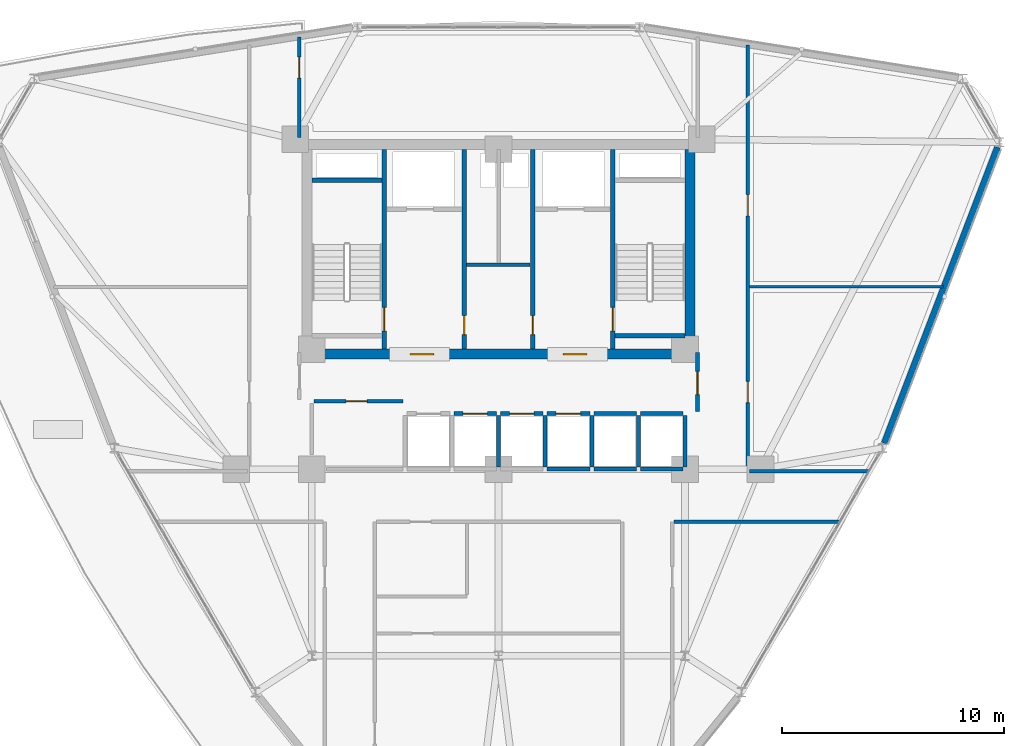
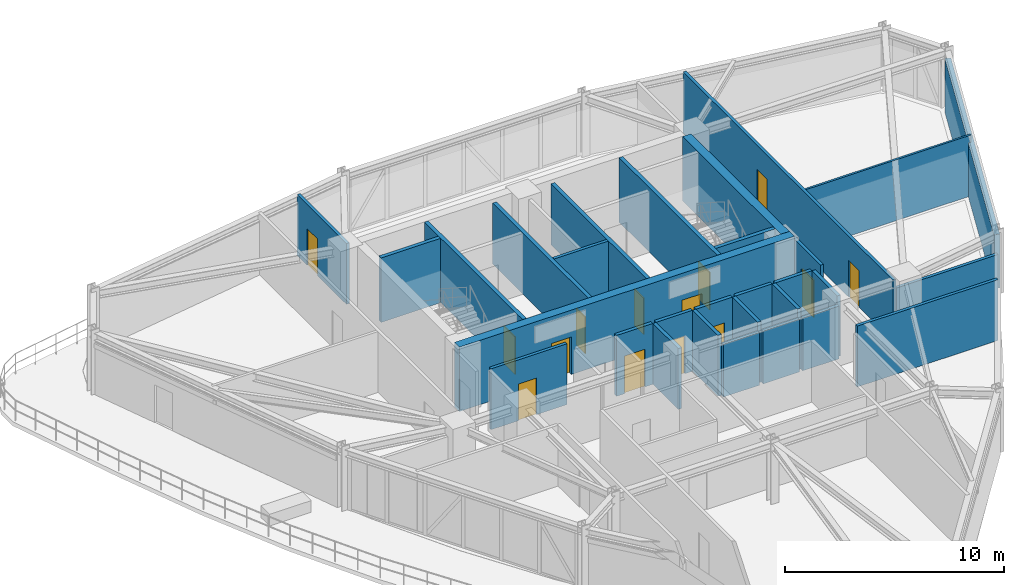
# One storey, part 14 of 18: 30 walls, 14 doors, 14 openings.
"""IFC4 building model written with IfcOpenShell, lengths in metres."""

from ifc_helpers import new_model, si_unit, derived_unit, direction, frame, frame_2d, origin, place, context, subcontext, project, spatial, rectangle, extrude, material, layer, layer_set, type_object, element, fill, save


model = new_model("IFC4")

# Units and contexts
model_context = context("Model", 3, precision=1e-05, world=origin(), true_north=direction((0.0, 1.0)))
body_context = subcontext(model_context, "Body", "Model", "MODEL_VIEW")
ifc_project = project(units=[si_unit("LENGTHUNIT", "METRE"), si_unit("AREAUNIT", "SQUARE_METRE"), si_unit("VOLUMEUNIT", "CUBIC_METRE"), si_unit("PLANEANGLEUNIT", "RADIAN"), si_unit("MASSUNIT", "GRAM", prefix="KILO"), derived_unit("THERMALTRANSMITTANCEUNIT", [(si_unit("POWERUNIT", "WATT"), 1), (si_unit("LENGTHUNIT", "METRE"), -2), (si_unit("THERMODYNAMICTEMPERATUREUNIT", "KELVIN"), -1)])], contexts=[model_context])

# Site, building, storey
site_placement = place(None, origin())
site = spatial("IfcSite", under=ifc_project, at=site_placement, CompositionType="ELEMENT")
building_placement = place(site_placement, origin())
building = spatial("IfcBuilding", under=site, at=building_placement, Name="Korsvarv Bourse and Concert Hall", CompositionType="ELEMENT")
storey_placement = place(building_placement, frame((0.0, 0.0, 168.60009765625)))
storey = spatial("IfcBuildingStorey", under=building, at=storey_placement, Name="L43", CompositionType="ELEMENT", Elevation=168.60009765625)

# Wall, opening, door
ifc_material_1 = material(Name="Concrete C50/60", Category="concrete")
ifc_layer_1 = layer(ifc_material_1, 0.3798828125)
ifc_layer_set_1 = layer_set([ifc_layer_1], Name="Concrete C50/60")
wall_type_1 = type_object("IfcWallType", Name="WL-CORE-380", PredefinedType="SHEAR", material=ifc_layer_set_1)
wall_1_placement = place(storey_placement, frame((30.860107421875, 37.81005859375, 0.0), z_axis=(0.0, 0.0, 1.0), x_axis=(0.0, 1.0, 0.0)))
wall_1 = element("IfcWall", 1, at=wall_1_placement, inside=storey, type_object=wall_type_1, Name="L43 stair shaft structural wall W-L43-ST1-E", PredefinedType="SHEAR", context=body_context, shape_type="SweptSolid", body=[
    extrude(rectangle(XDim=8.97998046875, YDim=0.199951171875, at=frame_2d((4.489990234375, 0.0))), origin(), (0.0, 0.0, 1.0), 3.599853515625),
])
opening_1_placement = place(wall_1_placement, frame((0.820068359375, 0.0, 0.0)))
opening_1 = element("IfcOpeningElement", 2, at=opening_1_placement, cuts=wall_1, Name="Opening D-01", PredefinedType="OPENING", context=body_context, shape_type="SweptSolid", body=[
    extrude(rectangle(XDim=1.050048828125, YDim=2.10009765625, at=frame_2d((0.52490234375, 1.050048828125))), frame((0.0, 0.10986328125, 0.0), z_axis=(0.0, -1.0, 0.0), x_axis=(1.0, 0.0, 0.0)), (0.0, 0.0, 1.0), 0.219970703125),
])
ifc_material_2 = material(Name="Steel S355 fire door", Category="steel")
door_type_1 = type_object("IfcDoorType", Name="DR-FD60", OperationType="NOTDEFINED", PredefinedType="DOOR", material=ifc_material_2)
door_1_placement = place(opening_1_placement, origin())
door_1 = element("IfcDoor", 3, at=door_1_placement, inside=storey, type_object=door_type_1, Name="L43 interior door DR-L43-ST1", OperationType="SINGLE_SWING_RIGHT", OverallHeight=2.10009765625, OverallWidth=1.050048828125, PredefinedType="DOOR", context=body_context, shape_type="SweptSolid", body=[
    extrude(rectangle(XDim=1.050048828125, YDim=2.10009765625, at=frame_2d((0.52490234375, 1.050048828125))), frame((0.0, 0.02490234375, 0.0), z_axis=(0.0, -1.0, 0.0), x_axis=(1.0, 0.0, 0.0)), (0.0, 0.0, 1.0), 0.050048828125),
])
fill(opening_1, door_1)

# Wall
wall_2_placement = place(storey_placement, frame((27.610107421875, 45.39990234375, 0.0), z_axis=(0.0, 0.0, 1.0), x_axis=(1.0, 0.0, 0.0)))
element("IfcWall", 4, at=wall_2_placement, inside=storey, type_object=wall_type_1, Name="L43 stair shaft structural wall W-L43-ST1-N", PredefinedType="SHEAR", context=body_context, shape_type="SweptSolid", body=[
    extrude(rectangle(XDim=3.139892578125, YDim=0.199951171875, at=frame_2d((1.56982421875, 0.0))), origin(), (0.0, 0.0, 1.0), 3.599853515625),
])

# Wall, opening, door
wall_3_placement = place(storey_placement, frame((41.139892578125, 37.81005859375, 0.0), z_axis=(0.0, 0.0, 1.0), x_axis=(0.0, 1.0, 0.0)))
wall_3 = element("IfcWall", 5, at=wall_3_placement, inside=storey, type_object=wall_type_1, Name="L43 stair shaft structural wall W-L43-ST2-W", PredefinedType="SHEAR", context=body_context, shape_type="SweptSolid", body=[
    extrude(rectangle(XDim=8.97998046875, YDim=0.199951171875, at=frame_2d((4.489990234375, 0.0))), origin(), (0.0, 0.0, 1.0), 3.599853515625),
])
opening_2_placement = place(wall_3_placement, frame((0.820068359375, 0.0, 0.0)))
opening_2 = element("IfcOpeningElement", 6, at=opening_2_placement, cuts=wall_3, Name="Opening D-01", PredefinedType="OPENING", context=body_context, shape_type="SweptSolid", body=[
    extrude(rectangle(XDim=1.050048828125, YDim=2.10009765625, at=frame_2d((0.52490234375, 1.050048828125))), frame((0.0, 0.10986328125, 0.0), z_axis=(0.0, -1.0, 0.0), x_axis=(1.0, 0.0, 0.0)), (0.0, 0.0, 1.0), 0.219970703125),
])
door_2_placement = place(opening_2_placement, frame((1.050048828125, 0.0, 0.0), z_axis=(0.0, 0.0, 1.0), x_axis=(-1.0, 0.0, 0.0)))
door_2 = element("IfcDoor", 7, at=door_2_placement, inside=storey, type_object=door_type_1, Name="L43 interior door DR-L43-ST2", OperationType="SINGLE_SWING_LEFT", OverallHeight=2.10009765625, OverallWidth=1.050048828125, PredefinedType="DOOR", context=body_context, shape_type="SweptSolid", body=[
    extrude(rectangle(XDim=1.050048828125, YDim=2.10009765625, at=frame_2d((0.52490234375, 1.050048828125))), frame((0.0, 0.02490234375, 0.0), z_axis=(0.0, -1.0, 0.0), x_axis=(1.0, 0.0, 0.0)), (0.0, 0.0, 1.0), 0.050048828125),
])
fill(opening_2, door_2)

# Wall
wall_4_placement = place(storey_placement, frame((41.25, 38.39990234375, 0.0), z_axis=(0.0, 0.0, 1.0), x_axis=(1.0, 0.0, 0.0)))
element("IfcWall", 8, at=wall_4_placement, inside=storey, type_object=wall_type_1, Name="L43 stair shaft structural wall W-L43-ST2-S", PredefinedType="SHEAR", context=body_context, shape_type="SweptSolid", body=[
    extrude(rectangle(XDim=3.139892578125, YDim=0.199951171875, at=frame_2d((1.56982421875, 0.0))), origin(), (0.0, 0.0, 1.0), 3.599853515625),
])

# Wall, openings, doors
ifc_material_3 = material(Name="Concrete C55/67", Category="concrete")
ifc_layer_2 = layer(ifc_material_3, 0.449951171875)
ifc_layer_set_2 = layer_set([ifc_layer_2], Name="Concrete C55/67")
wall_type_2 = type_object("IfcWallType", Name="WL-CORE-450", PredefinedType="SHEAR", material=ifc_layer_set_2)
wall_5_placement = place(storey_placement, frame((27.14990234375, 37.574951171875, 0.0), z_axis=(0.0, 0.0, 1.0), x_axis=(1.0, 0.0, 0.0)))
wall_5 = element("IfcWall", 9, at=wall_5_placement, inside=storey, type_object=wall_type_2, Name="L43 South Core Shear Wall", PredefinedType="SHEAR", context=body_context, shape_type="SweptSolid", body=[
    extrude(rectangle(XDim=17.7001953125, YDim=0.449951171875, at=frame_2d((8.85009765625, 0.0))), origin(), (0.0, 0.0, 1.0), 3.599853515625),
])
opening_3_placement = place(wall_5_placement, frame((4.875, 0.0, 0.0)))
opening_3 = element("IfcOpeningElement", 10, at=opening_3_placement, cuts=wall_5, Name="Opening D-01", PredefinedType="OPENING", context=body_context, shape_type="SweptSolid", body=[
    extrude(rectangle(XDim=1.050048828125, YDim=2.10009765625, at=frame_2d((0.52490234375, 1.050048828125))), frame((0.0, 0.23486328125, 0.0), z_axis=(0.0, -1.0, 0.0), x_axis=(1.0, 0.0, 0.0)), (0.0, 0.0, 1.0), 0.469970703125),
])
opening_4_placement = place(wall_5_placement, frame((11.77490234375, 0.0, 0.0)))
opening_4 = element("IfcOpeningElement", 11, at=opening_4_placement, cuts=wall_5, Name="Opening D-01", PredefinedType="OPENING", context=body_context, shape_type="SweptSolid", body=[
    extrude(rectangle(XDim=1.050048828125, YDim=2.10009765625, at=frame_2d((0.52490234375, 1.050048828125))), frame((0.0, 0.23486328125, 0.0), z_axis=(0.0, -1.0, 0.0), x_axis=(1.0, 0.0, 0.0)), (0.0, 0.0, 1.0), 0.469970703125),
])
door_3_placement = place(opening_3_placement, frame((1.050048828125, 0.0, 0.0), z_axis=(0.0, 0.0, 1.0), x_axis=(-1.0, 0.0, 0.0)))
door_3 = element("IfcDoor", 12, at=door_3_placement, inside=storey, type_object=door_type_1, Name="L43 firefighting lobby fire door DR-L43-FFLW", OperationType="SINGLE_SWING_LEFT", OverallHeight=2.10009765625, OverallWidth=1.050048828125, PredefinedType="DOOR", context=body_context, shape_type="SweptSolid", body=[
    extrude(rectangle(XDim=1.050048828125, YDim=2.10009765625, at=frame_2d((0.52490234375, 1.050048828125))), frame((0.0, 0.02490234375, 0.0), z_axis=(0.0, -1.0, 0.0), x_axis=(1.0, 0.0, 0.0)), (0.0, 0.0, 1.0), 0.050048828125),
])
fill(opening_3, door_3)
door_4_placement = place(opening_4_placement, frame((1.050048828125, 0.0, 0.0), z_axis=(0.0, 0.0, 1.0), x_axis=(-1.0, 0.0, 0.0)))
door_4 = element("IfcDoor", 13, at=door_4_placement, inside=storey, type_object=door_type_1, Name="L43 firefighting lobby fire door DR-L43-FFLE", OperationType="SINGLE_SWING_RIGHT", OverallHeight=2.10009765625, OverallWidth=1.050048828125, PredefinedType="DOOR", context=body_context, shape_type="SweptSolid", body=[
    extrude(rectangle(XDim=1.050048828125, YDim=2.10009765625, at=frame_2d((0.52490234375, 1.050048828125))), frame((0.0, 0.02490234375, 0.0), z_axis=(0.0, -1.0, 0.0), x_axis=(1.0, 0.0, 0.0)), (0.0, 0.0, 1.0), 0.050048828125),
])
fill(opening_4, door_4)

# Walls
wall_6_placement = place(storey_placement, frame((44.625, 37.800048828125, 0.0), z_axis=(0.0, 0.0, 1.0), x_axis=(0.0, 1.0, 0.0)))
element("IfcWall", 14, at=wall_6_placement, inside=storey, type_object=wall_type_2, Name="L43 East Core Shear Wall", PredefinedType="SHEAR", context=body_context, shape_type="SweptSolid", body=[
    extrude(rectangle(XDim=9.0, YDim=0.449951171875, at=frame_2d((4.5, 0.0))), origin(), (0.0, 0.0, 1.0), 3.599853515625),
])
ifc_material_4 = material(Name="Precast concrete C45/55 with fluted terracotta pier", Category="concrete")
ifc_layer_3 = layer(ifc_material_4, 0.280029296875)
ifc_layer_set_3 = layer_set([ifc_layer_3], Name="Precast concrete C45/55 with fluted terracotta pier")
wall_type_3 = type_object("IfcWallType", Name="WL-EXT-TC2", PredefinedType="SOLIDWALL", material=ifc_layer_set_3)
wall_7_placement = place(storey_placement, frame((53.37060546875, 33.5703125, 0.0), z_axis=(0.0, 0.0, 1.0), x_axis=(0.357419860287, 0.933943811732, 0.0)))
element("IfcWall", 15, at=wall_7_placement, inside=storey, type_object=wall_type_3, Name="L43 terracotta exterior wall EW-L43-B12", PredefinedType="SOLIDWALL", context=body_context, shape_type="SweptSolid", body=[
    extrude(rectangle(XDim=14.263671875, YDim=0.280029296875, at=frame_2d((7.1318359375, 0.0))), origin(), (0.0, 0.0, 1.0), 3.0),
])

# Wall, opening, door
ifc_material_5 = material(Name="Reinforced concrete blockwork C35/45 fire wall", Category="concrete")
ifc_layer_4 = layer(ifc_material_5, 0.199951171875)
ifc_layer_set_4 = layer_set([ifc_layer_4], Name="Reinforced concrete blockwork C35/45 fire wall")
wall_type_4 = type_object("IfcWallType", Name="WL-INT-EI120", PredefinedType="PARTITIONING", material=ifc_layer_set_4)
wall_8_placement = place(storey_placement, frame((34.4599609375, 37.81005859375, 0.0), z_axis=(0.0, 0.0, 1.0), x_axis=(0.0, 1.0, 0.0)))
wall_8 = element("IfcWall", 16, at=wall_8_placement, inside=storey, type_object=wall_type_4, Name="L43 interior partition wall W-L43-CSB-W", PredefinedType="PARTITIONING", context=body_context, shape_type="SweptSolid", body=[
    extrude(rectangle(XDim=8.97998046875, YDim=0.199951171875, at=frame_2d((4.489990234375, 0.0))), origin(), (0.0, 0.0, 1.0), 3.39990234375),
])
opening_5_placement = place(wall_8_placement, frame((0.64990234375, 0.0, 0.0)))
opening_5 = element("IfcOpeningElement", 17, at=opening_5_placement, cuts=wall_8, Name="Opening D-05", PredefinedType="OPENING", context=body_context, shape_type="SweptSolid", body=[
    extrude(rectangle(XDim=0.85009765625, YDim=2.050048828125, at=frame_2d((0.425048828125, 1.02490234375))), frame((0.0, 0.10986328125, 0.0), z_axis=(0.0, -1.0, 0.0), x_axis=(1.0, 0.0, 0.0)), (0.0, 0.0, 1.0), 0.219970703125),
])
door_type_2 = type_object("IfcDoorType", Name="DR-FD60-850X2050", OperationType="NOTDEFINED", PredefinedType="DOOR", material=ifc_material_2)
door_5_placement = place(opening_5_placement, frame((0.85009765625, 0.0, 0.0), z_axis=(0.0, 0.0, 1.0), x_axis=(-1.0, 0.0, 0.0)))
door_5 = element("IfcDoor", 18, at=door_5_placement, inside=storey, type_object=door_type_2, Name="L43 interior door DR-L43-CSB1", OperationType="SINGLE_SWING_RIGHT", OverallHeight=2.050048828125, OverallWidth=0.85009765625, PredefinedType="DOOR", context=body_context, shape_type="SweptSolid", body=[
    extrude(rectangle(XDim=0.85009765625, YDim=2.050048828125, at=frame_2d((0.425048828125, 1.02490234375))), frame((0.0, 0.02490234375, 0.0), z_axis=(0.0, -1.0, 0.0), x_axis=(1.0, 0.0, 0.0)), (0.0, 0.0, 1.0), 0.050048828125),
])
fill(opening_5, door_5)

wall_9_placement = place(storey_placement, frame((37.5400390625, 37.81005859375, 0.0), z_axis=(0.0, 0.0, 1.0), x_axis=(0.0, 1.0, 0.0)))
wall_9 = element("IfcWall", 19, at=wall_9_placement, inside=storey, type_object=wall_type_4, Name="L43 interior partition wall W-L43-CSB-E", PredefinedType="PARTITIONING", context=body_context, shape_type="SweptSolid", body=[
    extrude(rectangle(XDim=8.97998046875, YDim=0.199951171875, at=frame_2d((4.489990234375, 0.0))), origin(), (0.0, 0.0, 1.0), 3.39990234375),
])
opening_6_placement = place(wall_9_placement, frame((0.64990234375, 0.0, 0.0)))
opening_6 = element("IfcOpeningElement", 20, at=opening_6_placement, cuts=wall_9, Name="Opening D-05", PredefinedType="OPENING", context=body_context, shape_type="SweptSolid", body=[
    extrude(rectangle(XDim=0.85009765625, YDim=2.050048828125, at=frame_2d((0.425048828125, 1.02490234375))), frame((0.0, 0.10986328125, 0.0), z_axis=(0.0, -1.0, 0.0), x_axis=(1.0, 0.0, 0.0)), (0.0, 0.0, 1.0), 0.219970703125),
])
door_6_placement = place(opening_6_placement, origin())
door_6 = element("IfcDoor", 21, at=door_6_placement, inside=storey, type_object=door_type_2, Name="L43 interior door DR-L43-CSB2", OperationType="SINGLE_SWING_LEFT", OverallHeight=2.050048828125, OverallWidth=0.85009765625, PredefinedType="DOOR", context=body_context, shape_type="SweptSolid", body=[
    extrude(rectangle(XDim=0.85009765625, YDim=2.050048828125, at=frame_2d((0.425048828125, 1.02490234375))), frame((0.0, 0.02490234375, 0.0), z_axis=(0.0, -1.0, 0.0), x_axis=(1.0, 0.0, 0.0)), (0.0, 0.0, 1.0), 0.050048828125),
])
fill(opening_6, door_6)

# Wall
ifc_material_6 = material(Name="Double-stud fire-rated acoustic partition", Category="gypsum")
ifc_layer_5 = layer(ifc_material_6, 0.159912109375)
ifc_layer_set_5 = layer_set([ifc_layer_5], Name="Double-stud fire-rated acoustic partition")
wall_type_5 = type_object("IfcWallType", Name="WL-INT-EI60", PredefinedType="PARTITIONING", material=ifc_layer_set_5)
wall_10_placement = place(storey_placement, frame((34.570068359375, 41.60009765625, 0.0), z_axis=(0.0, 0.0, 1.0), x_axis=(1.0, 0.0, 0.0)))
element("IfcWall", 22, at=wall_10_placement, inside=storey, type_object=wall_type_5, Name="L43 interior partition wall W-L43-K1", PredefinedType="PARTITIONING", context=body_context, shape_type="SweptSolid", body=[
    extrude(rectangle(XDim=2.85986328125, YDim=0.159912109375, at=frame_2d((1.429931640625, 0.0))), origin(), (0.0, 0.0, 1.0), 3.39990234375),
])

# Wall, opening, door
wall_11_placement = place(storey_placement, frame((27.68994140625, 35.449951171875, 0.0), z_axis=(0.0, 0.0, 1.0), x_axis=(1.0, 0.0, 0.0)))
wall_11 = element("IfcWall", 23, at=wall_11_placement, inside=storey, type_object=wall_type_5, Name="L43 interior partition wall W-L43-FRD-N", PredefinedType="PARTITIONING", context=body_context, shape_type="SweptSolid", body=[
    extrude(rectangle(XDim=4.010009765625, YDim=0.159912109375, at=frame_2d((2.0048828125, 0.0))), origin(), (0.0, 0.0, 1.0), 3.39990234375),
])
opening_7_placement = place(wall_11_placement, frame((1.449951171875, 0.0, 0.0)))
opening_7 = element("IfcOpeningElement", 24, at=opening_7_placement, cuts=wall_11, Name="Opening D-03", PredefinedType="OPENING", context=body_context, shape_type="SweptSolid", body=[
    extrude(rectangle(XDim=0.949951171875, YDim=2.050048828125, at=frame_2d((0.47509765625, 1.02490234375))), frame((0.0, 0.08984375, 0.0), z_axis=(0.0, -1.0, 0.0), x_axis=(1.0, 0.0, 0.0)), (0.0, 0.0, 1.0), 0.179931640625),
])
ifc_material_7 = material(Name="Nordic oak acoustic office door", Category="wood")
door_type_3 = type_object("IfcDoorType", Name="DR-INT-1", OperationType="NOTDEFINED", PredefinedType="DOOR", material=ifc_material_7)
door_7_placement = place(opening_7_placement, origin())
door_7 = element("IfcDoor", 25, at=door_7_placement, inside=storey, type_object=door_type_3, Name="L43 interior door DR-L43-FRDN1", OperationType="SINGLE_SWING_RIGHT", OverallHeight=2.050048828125, OverallWidth=0.949951171875, PredefinedType="DOOR", context=body_context, shape_type="SweptSolid", body=[
    extrude(rectangle(XDim=0.949951171875, YDim=2.050048828125, at=frame_2d((0.47509765625, 1.02490234375))), frame((0.0, 0.02490234375, 0.0), z_axis=(0.0, -1.0, 0.0), x_axis=(1.0, 0.0, 0.0)), (0.0, 0.0, 1.0), 0.050048828125),
])
fill(opening_7, door_7)

wall_12_placement = place(storey_placement, frame((44.9599609375, 35.0, 0.0), z_axis=(0.0, 0.0, 1.0), x_axis=(0.0, 1.0, 0.0)))
wall_12 = element("IfcWall", 26, at=wall_12_placement, inside=storey, type_object=wall_type_5, Name="L43 interior partition wall W-L43-LOB-E", PredefinedType="PARTITIONING", context=body_context, shape_type="SweptSolid", body=[
    extrude(rectangle(XDim=2.64990234375, YDim=0.159912109375, at=frame_2d((1.324951171875, 0.0))), origin(), (0.0, 0.0, 1.0), 3.39990234375),
])
opening_8_placement = place(wall_12_placement, frame((0.75, 0.0, 0.0)))
opening_8 = element("IfcOpeningElement", 27, at=opening_8_placement, cuts=wall_12, Name="Opening D-01", PredefinedType="OPENING", context=body_context, shape_type="SweptSolid", body=[
    extrude(rectangle(XDim=1.050048828125, YDim=2.10009765625, at=frame_2d((0.52490234375, 1.050048828125))), frame((0.0, 0.08984375, 0.0), z_axis=(0.0, -1.0, 0.0), x_axis=(1.0, 0.0, 0.0)), (0.0, 0.0, 1.0), 0.179931640625),
])
door_8_placement = place(opening_8_placement, origin())
door_8 = element("IfcDoor", 28, at=door_8_placement, inside=storey, type_object=door_type_1, Name="L43 interior door DR-L43-LOBE", OperationType="SINGLE_SWING_RIGHT", OverallHeight=2.10009765625, OverallWidth=1.050048828125, PredefinedType="DOOR", context=body_context, shape_type="SweptSolid", body=[
    extrude(rectangle(XDim=1.050048828125, YDim=2.10009765625, at=frame_2d((0.52490234375, 1.050048828125))), frame((0.0, 0.02490234375, 0.0), z_axis=(0.0, -1.0, 0.0), x_axis=(1.0, 0.0, 0.0)), (0.0, 0.0, 1.0), 0.050048828125),
])
fill(opening_8, door_8)

# Wall, openings, doors
wall_13_placement = place(storey_placement, frame((47.22509765625, 32.31005859375, 0.0), z_axis=(0.0, 0.0, 1.0), x_axis=(0.0, 1.0, 0.0)))
wall_13 = element("IfcWall", 29, at=wall_13_placement, inside=storey, type_object=wall_type_5, Name="L43 interior partition wall W-L43-TCOR-01", PredefinedType="PARTITIONING", context=body_context, shape_type="SweptSolid", body=[
    extrude(rectangle(XDim=19.187744140625, YDim=0.159912109375, at=frame_2d((9.59375, 0.0))), origin(), (0.0, 0.0, 1.0), 3.39990234375),
])
opening_9_placement = place(wall_13_placement, frame((3.086669921875, 0.0, 0.0)))
opening_9 = element("IfcOpeningElement", 30, at=opening_9_placement, cuts=wall_13, Name="Opening D-02", PredefinedType="OPENING", context=body_context, shape_type="SweptSolid", body=[
    extrude(rectangle(XDim=0.949951171875, YDim=2.050048828125, at=frame_2d((0.47509765625, 1.02490234375))), frame((0.0, 0.08984375, 0.0), z_axis=(0.0, -1.0, 0.0), x_axis=(1.0, 0.0, 0.0)), (0.0, 0.0, 1.0), 0.179931640625),
])
opening_10_placement = place(wall_13_placement, frame((11.49658203125, 0.0, 0.0)))
opening_10 = element("IfcOpeningElement", 31, at=opening_10_placement, cuts=wall_13, Name="Opening D-02", PredefinedType="OPENING", context=body_context, shape_type="SweptSolid", body=[
    extrude(rectangle(XDim=0.949951171875, YDim=2.050048828125, at=frame_2d((0.47509765625, 1.02490234375))), frame((0.0, 0.08984375, 0.0), z_axis=(0.0, -1.0, 0.0), x_axis=(1.0, 0.0, 0.0)), (0.0, 0.0, 1.0), 0.179931640625),
])
ifc_material_8 = material(Name="Timber and steel acoustic fire door", Category="wood")
door_type_4 = type_object("IfcDoorType", Name="DR-FD30", OperationType="NOTDEFINED", PredefinedType="DOOR", material=ifc_material_8)
door_9_placement = place(opening_9_placement, origin())
door_9 = element("IfcDoor", 32, at=door_9_placement, inside=storey, type_object=door_type_4, Name="L43 interior door DR-L43-TCOR-MH61", OperationType="SINGLE_SWING_LEFT", OverallHeight=2.050048828125, OverallWidth=0.949951171875, PredefinedType="DOOR", context=body_context, shape_type="SweptSolid", body=[
    extrude(rectangle(XDim=0.949951171875, YDim=2.050048828125, at=frame_2d((0.47509765625, 1.02490234375))), frame((0.0, 0.02490234375, 0.0), z_axis=(0.0, -1.0, 0.0), x_axis=(1.0, 0.0, 0.0)), (0.0, 0.0, 1.0), 0.050048828125),
])
fill(opening_9, door_9)
door_10_placement = place(opening_10_placement, origin())
door_10 = element("IfcDoor", 33, at=door_10_placement, inside=storey, type_object=door_type_4, Name="L43 interior door DR-L43-TCOR-RM22", OperationType="SINGLE_SWING_RIGHT", OverallHeight=2.050048828125, OverallWidth=0.949951171875, PredefinedType="DOOR", context=body_context, shape_type="SweptSolid", body=[
    extrude(rectangle(XDim=0.949951171875, YDim=2.050048828125, at=frame_2d((0.47509765625, 1.02490234375))), frame((0.0, 0.02490234375, 0.0), z_axis=(0.0, -1.0, 0.0), x_axis=(1.0, 0.0, 0.0)), (0.0, 0.0, 1.0), 0.050048828125),
])
fill(opening_10, door_10)

# Walls
wall_14_placement = place(storey_placement, frame((43.906982421875, 30.02490234375, 0.0), z_axis=(0.0, 0.0, 1.0), x_axis=(1.0, 0.0, 0.0)))
element("IfcWall", 34, at=wall_14_placement, inside=storey, type_object=wall_type_5, Name="L43 interior partition wall W-L43-TCOR-09", PredefinedType="PARTITIONING", context=body_context, shape_type="SweptSolid", body=[
    extrude(rectangle(XDim=7.440185546875, YDim=0.159912109375, at=frame_2d((3.72021484375, 0.0))), origin(), (0.0, 0.0, 1.0), 3.39990234375),
])
wall_15_placement = place(storey_placement, frame((47.306884765625, 32.31494140625, 0.0), z_axis=(0.0, 0.0, 1.0), x_axis=(1.0, 0.0, 0.0)))
element("IfcWall", 35, at=wall_15_placement, inside=storey, type_object=wall_type_5, Name="L43 interior partition wall W-L43-TCOR-10", PredefinedType="PARTITIONING", context=body_context, shape_type="SweptSolid", body=[
    extrude(rectangle(XDim=5.3623046875, YDim=0.159912109375, at=frame_2d((2.68115234375, 0.0))), origin(), (0.0, 0.0, 1.0), 2.949951171875),
])

# Wall, opening, door
wall_16_placement = place(storey_placement, frame((27.034912109375, 47.340087890625, 0.0), z_axis=(0.0, 0.0, 1.0), x_axis=(0.0, 1.0, 0.0)))
wall_16 = element("IfcWall", 36, at=wall_16_placement, inside=storey, type_object=wall_type_5, Name="L43 interior partition wall W-L43-TCOR-12", PredefinedType="PARTITIONING", context=body_context, shape_type="SweptSolid", body=[
    extrude(rectangle(XDim=4.51806640625, YDim=0.159912109375, at=frame_2d((2.259033203125, 0.0))), origin(), (0.0, 0.0, 1.0), 3.39990234375),
])
opening_11_placement = place(wall_16_placement, frame((2.66259765625, 0.0, 0.0)))
opening_11 = element("IfcOpeningElement", 37, at=opening_11_placement, cuts=wall_16, Name="Opening D-02", PredefinedType="OPENING", context=body_context, shape_type="SweptSolid", body=[
    extrude(rectangle(XDim=0.949951171875, YDim=2.050048828125, at=frame_2d((0.47509765625, 1.02490234375))), frame((0.0, 0.08984375, 0.0), z_axis=(0.0, -1.0, 0.0), x_axis=(1.0, 0.0, 0.0)), (0.0, 0.0, 1.0), 0.179931640625),
])
door_11_placement = place(opening_11_placement, origin())
door_11 = element("IfcDoor", 38, at=door_11_placement, inside=storey, type_object=door_type_4, Name="L43 interior door DR-L43-TCOR-RM44", OperationType="SINGLE_SWING_LEFT", OverallHeight=2.050048828125, OverallWidth=0.949951171875, PredefinedType="DOOR", context=body_context, shape_type="SweptSolid", body=[
    extrude(rectangle(XDim=0.949951171875, YDim=2.050048828125, at=frame_2d((0.47509765625, 1.02490234375))), frame((0.0, 0.02490234375, 0.0), z_axis=(0.0, -1.0, 0.0), x_axis=(1.0, 0.0, 0.0)), (0.0, 0.0, 1.0), 0.050048828125),
])
fill(opening_11, door_11)

ifc_material_9 = material(Name="Gypsum-clad autoclaved concrete shaft wall C30/37", Category="concrete")
ifc_layer_6 = layer(ifc_material_9, 0.179931640625)
ifc_layer_set_6 = layer_set([ifc_layer_6], Name="Gypsum-clad autoclaved concrete shaft wall C30/37")
wall_type_6 = type_object("IfcWallType", Name="WL-INT-EI90", PredefinedType="PARTITIONING", material=ifc_layer_set_6)
wall_17_placement = place(storey_placement, frame((33.989990234375, 34.89990234375, 0.0), z_axis=(0.0, 0.0, 1.0), x_axis=(1.0, 0.0, 0.0)))
wall_17 = element("IfcWall", 39, at=wall_17_placement, inside=storey, type_object=wall_type_6, Name="L43 interior partition wall W-L43-SHFN-PM2", PredefinedType="PARTITIONING", context=body_context, shape_type="SweptSolid", body=[
    extrude(rectangle(XDim=1.919921875, YDim=0.179931640625, at=frame_2d((0.9599609375, 0.0))), origin(), (0.0, 0.0, 1.0), 3.39990234375),
])
opening_12_placement = place(wall_17_placement, frame((0.409912109375, 0.0, 0.0)))
opening_12 = element("IfcOpeningElement", 40, at=opening_12_placement, cuts=wall_17, Name="Opening LD-2", PredefinedType="OPENING", context=body_context, shape_type="SweptSolid", body=[
    extrude(rectangle(XDim=1.10009765625, YDim=2.10009765625, at=frame_2d((0.550048828125, 1.050048828125))), frame((0.0, 0.10009765625, 0.0), z_axis=(0.0, -1.0, 0.0), x_axis=(1.0, 0.0, 0.0)), (0.0, 0.0, 1.0), 0.199951171875),
])
ifc_material_10 = material(Name="Brushed stainless Steel S355 lift landing door", Category="steel")
door_type_5 = type_object("IfcDoorType", Name="DR-LIFT-P", OperationType="DOUBLE_DOOR_SLIDING", PredefinedType="DOOR", material=ifc_material_10)
door_12_placement = place(opening_12_placement, origin())
door_12 = element("IfcDoor", 41, at=door_12_placement, inside=storey, type_object=door_type_5, Name="L43 lift sliding landing door LD-L43-PM2", OperationType="DOUBLE_DOOR_SLIDING", OverallHeight=2.10009765625, OverallWidth=1.10009765625, PredefinedType="DOOR", context=body_context, shape_type="SweptSolid", body=[
    extrude(rectangle(XDim=1.10009765625, YDim=2.10009765625, at=frame_2d((0.550048828125, 1.050048828125))), frame((0.0, 0.02490234375, 0.0), z_axis=(0.0, -1.0, 0.0), x_axis=(1.0, 0.0, 0.0)), (0.0, 0.0, 1.0), 0.050048828125),
])
fill(opening_12, door_12)

wall_18_placement = place(storey_placement, frame((36.090087890625, 34.89990234375, 0.0), z_axis=(0.0, 0.0, 1.0), x_axis=(1.0, 0.0, 0.0)))
wall_18 = element("IfcWall", 42, at=wall_18_placement, inside=storey, type_object=wall_type_6, Name="L43 interior partition wall W-L43-SHFN-PH1", PredefinedType="PARTITIONING", context=body_context, shape_type="SweptSolid", body=[
    extrude(rectangle(XDim=1.919921875, YDim=0.179931640625, at=frame_2d((0.9599609375, 0.0))), origin(), (0.0, 0.0, 1.0), 3.39990234375),
])
opening_13_placement = place(wall_18_placement, frame((0.409912109375, 0.0, 0.0)))
opening_13 = element("IfcOpeningElement", 43, at=opening_13_placement, cuts=wall_18, Name="Opening LD-2", PredefinedType="OPENING", context=body_context, shape_type="SweptSolid", body=[
    extrude(rectangle(XDim=1.10009765625, YDim=2.10009765625, at=frame_2d((0.550048828125, 1.050048828125))), frame((0.0, 0.10009765625, 0.0), z_axis=(0.0, -1.0, 0.0), x_axis=(1.0, 0.0, 0.0)), (0.0, 0.0, 1.0), 0.199951171875),
])
door_13_placement = place(opening_13_placement, origin())
door_13 = element("IfcDoor", 44, at=door_13_placement, inside=storey, type_object=door_type_5, Name="L43 lift sliding landing door LD-L43-PH1", OperationType="DOUBLE_DOOR_SLIDING", OverallHeight=2.10009765625, OverallWidth=1.10009765625, PredefinedType="DOOR", context=body_context, shape_type="SweptSolid", body=[
    extrude(rectangle(XDim=1.10009765625, YDim=2.10009765625, at=frame_2d((0.550048828125, 1.050048828125))), frame((0.0, 0.02490234375, 0.0), z_axis=(0.0, -1.0, 0.0), x_axis=(1.0, 0.0, 0.0)), (0.0, 0.0, 1.0), 0.050048828125),
])
fill(opening_13, door_13)

# Wall
wall_19_placement = place(storey_placement, frame((36.0, 32.489990234375, 0.0), z_axis=(0.0, 0.0, 1.0), x_axis=(0.0, 1.0, 0.0)))
element("IfcWall", 45, at=wall_19_placement, inside=storey, type_object=wall_type_6, Name="L43 interior partition wall W-L43-SHFW-PH1", PredefinedType="PARTITIONING", context=body_context, shape_type="SweptSolid", body=[
    extrude(rectangle(XDim=2.320068359375, YDim=0.179931640625, at=frame_2d((1.16015625, 0.0))), origin(), (0.0, 0.0, 1.0), 3.39990234375),
])

# Wall, opening, door
wall_20_placement = place(storey_placement, frame((38.18994140625, 34.89990234375, 0.0), z_axis=(0.0, 0.0, 1.0), x_axis=(1.0, 0.0, 0.0)))
wall_20 = element("IfcWall", 46, at=wall_20_placement, inside=storey, type_object=wall_type_6, Name="L43 interior partition wall W-L43-SHFN-PH2", PredefinedType="PARTITIONING", context=body_context, shape_type="SweptSolid", body=[
    extrude(rectangle(XDim=1.920166015625, YDim=0.179931640625, at=frame_2d((0.9599609375, 0.0))), origin(), (0.0, 0.0, 1.0), 3.39990234375),
])
opening_14_placement = place(wall_20_placement, frame((0.409912109375, 0.0, 0.0)))
opening_14 = element("IfcOpeningElement", 47, at=opening_14_placement, cuts=wall_20, Name="Opening LD-2", PredefinedType="OPENING", context=body_context, shape_type="SweptSolid", body=[
    extrude(rectangle(XDim=1.10009765625, YDim=2.10009765625, at=frame_2d((0.550048828125, 1.050048828125))), frame((0.0, 0.10009765625, 0.0), z_axis=(0.0, -1.0, 0.0), x_axis=(1.0, 0.0, 0.0)), (0.0, 0.0, 1.0), 0.199951171875),
])
door_14_placement = place(opening_14_placement, origin())
door_14 = element("IfcDoor", 48, at=door_14_placement, inside=storey, type_object=door_type_5, Name="L43 lift sliding landing door LD-L43-PH2", OperationType="DOUBLE_DOOR_SLIDING", OverallHeight=2.10009765625, OverallWidth=1.10009765625, PredefinedType="DOOR", context=body_context, shape_type="SweptSolid", body=[
    extrude(rectangle(XDim=1.10009765625, YDim=2.10009765625, at=frame_2d((0.550048828125, 1.050048828125))), frame((0.0, 0.02490234375, 0.0), z_axis=(0.0, -1.0, 0.0), x_axis=(1.0, 0.0, 0.0)), (0.0, 0.0, 1.0), 0.050048828125),
])
fill(opening_14, door_14)

# Walls
wall_21_placement = place(storey_placement, frame((38.18994140625, 32.39990234375, 0.0), z_axis=(0.0, 0.0, 1.0), x_axis=(1.0, 0.0, 0.0)))
element("IfcWall", 49, at=wall_21_placement, inside=storey, type_object=wall_type_6, Name="L43 interior partition wall W-L43-SHFS-PH2", PredefinedType="PARTITIONING", context=body_context, shape_type="SweptSolid", body=[
    extrude(rectangle(XDim=1.920166015625, YDim=0.179931640625, at=frame_2d((0.9599609375, 0.0))), origin(), (0.0, 0.0, 1.0), 2.949951171875),
])
wall_22_placement = place(storey_placement, frame((38.10009765625, 32.489990234375, 0.0), z_axis=(0.0, 0.0, 1.0), x_axis=(0.0, 1.0, 0.0)))
element("IfcWall", 50, at=wall_22_placement, inside=storey, type_object=wall_type_6, Name="L43 interior partition wall W-L43-SHFW-PH2", PredefinedType="PARTITIONING", context=body_context, shape_type="SweptSolid", body=[
    extrude(rectangle(XDim=2.320068359375, YDim=0.179931640625, at=frame_2d((1.16015625, 0.0))), origin(), (0.0, 0.0, 1.0), 3.39990234375),
])
wall_23_placement = place(storey_placement, frame((40.2900390625, 34.89990234375, 0.0), z_axis=(0.0, 0.0, 1.0), x_axis=(1.0, 0.0, 0.0)))
element("IfcWall", 51, at=wall_23_placement, inside=storey, type_object=wall_type_6, Name="L43 interior partition wall W-L43-SHFN-PO1", PredefinedType="PARTITIONING", context=body_context, shape_type="SweptSolid", body=[
    extrude(rectangle(XDim=1.919921875, YDim=0.179931640625, at=frame_2d((0.9599609375, 0.0))), origin(), (0.0, 0.0, 1.0), 3.39990234375),
])
wall_24_placement = place(storey_placement, frame((40.2900390625, 32.39990234375, 0.0), z_axis=(0.0, 0.0, 1.0), x_axis=(1.0, 0.0, 0.0)))
element("IfcWall", 52, at=wall_24_placement, inside=storey, type_object=wall_type_6, Name="L43 interior partition wall W-L43-SHFS-PO1", PredefinedType="PARTITIONING", context=body_context, shape_type="SweptSolid", body=[
    extrude(rectangle(XDim=1.919921875, YDim=0.179931640625, at=frame_2d((0.9599609375, 0.0))), origin(), (0.0, 0.0, 1.0), 2.949951171875),
])
wall_25_placement = place(storey_placement, frame((40.199951171875, 32.489990234375, 0.0), z_axis=(0.0, 0.0, 1.0), x_axis=(0.0, 1.0, 0.0)))
element("IfcWall", 53, at=wall_25_placement, inside=storey, type_object=wall_type_6, Name="L43 interior partition wall W-L43-SHFW-PO1", PredefinedType="PARTITIONING", context=body_context, shape_type="SweptSolid", body=[
    extrude(rectangle(XDim=2.320068359375, YDim=0.179931640625, at=frame_2d((1.16015625, 0.0))), origin(), (0.0, 0.0, 1.0), 3.39990234375),
])
wall_26_placement = place(storey_placement, frame((42.389892578125, 34.89990234375, 0.0), z_axis=(0.0, 0.0, 1.0), x_axis=(1.0, 0.0, 0.0)))
element("IfcWall", 54, at=wall_26_placement, inside=storey, type_object=wall_type_6, Name="L43 interior partition wall W-L43-SHFN-PO2", PredefinedType="PARTITIONING", context=body_context, shape_type="SweptSolid", body=[
    extrude(rectangle(XDim=1.920166015625, YDim=0.179931640625, at=frame_2d((0.9599609375, 0.0))), origin(), (0.0, 0.0, 1.0), 3.39990234375),
])
wall_27_placement = place(storey_placement, frame((42.389892578125, 32.39990234375, 0.0), z_axis=(0.0, 0.0, 1.0), x_axis=(1.0, 0.0, 0.0)))
element("IfcWall", 55, at=wall_27_placement, inside=storey, type_object=wall_type_6, Name="L43 interior partition wall W-L43-SHFS-PO2", PredefinedType="PARTITIONING", context=body_context, shape_type="SweptSolid", body=[
    extrude(rectangle(XDim=1.920166015625, YDim=0.179931640625, at=frame_2d((0.9599609375, 0.0))), origin(), (0.0, 0.0, 1.0), 2.949951171875),
])
for number, where, z_axis, x_axis, name in (
    (56, (42.300048828125, 32.489990234375, 0.0), (0.0, 0.0, 1.0), (0.0, 1.0, 0.0), "L43 interior partition wall W-L43-SHFW-PO2"),
    (57, (44.39990234375, 32.489990234375, 0.0), (0.0, 0.0, 1.0), (0.0, 1.0, 0.0), "L43 interior partition wall W-L43-SHFE-END"),
):
    element("IfcWall", number, at=place(storey_placement, frame(where, z_axis=z_axis, x_axis=x_axis)), inside=storey, type_object=wall_type_6, Name=name, PredefinedType="PARTITIONING", context=body_context, shape_type="SweptSolid", body=[
        extrude(rectangle(XDim=2.320068359375, YDim=0.179931640625, at=frame_2d((1.16015625, 0.0))), origin(), (0.0, 0.0, 1.0), 3.39990234375),
    ])
ifc_material_11 = material(Name="Demountable acoustic glass and aluminium dealing partition", Category="aluminium")
ifc_layer_7 = layer(ifc_material_11, 0.110107421875)
ifc_layer_set_7 = layer_set([ifc_layer_7], Name="Demountable acoustic glass and aluminium dealing partition")
wall_type_7 = type_object("IfcWallType", Name="WL-INT-MOV", PredefinedType="MOVABLE", material=ifc_layer_set_7)
wall_28_placement = place(storey_placement, frame((47.306884765625, 40.60498046875, 0.0), z_axis=(0.0, 0.0, 1.0), x_axis=(1.0, 0.0, 0.0)))
element("IfcWall", 58, at=wall_28_placement, inside=storey, type_object=wall_type_7, Name="L43 interior partition wall W-L43-TCOR-15", PredefinedType="MOVABLE", context=body_context, shape_type="SweptSolid", body=[
    extrude(rectangle(XDim=8.73583984375, YDim=0.110107421875, at=frame_2d((4.367919921875, 0.0))), origin(), (0.0, 0.0, 1.0), 3.39990234375),
])

save(model, "model.ifc")
